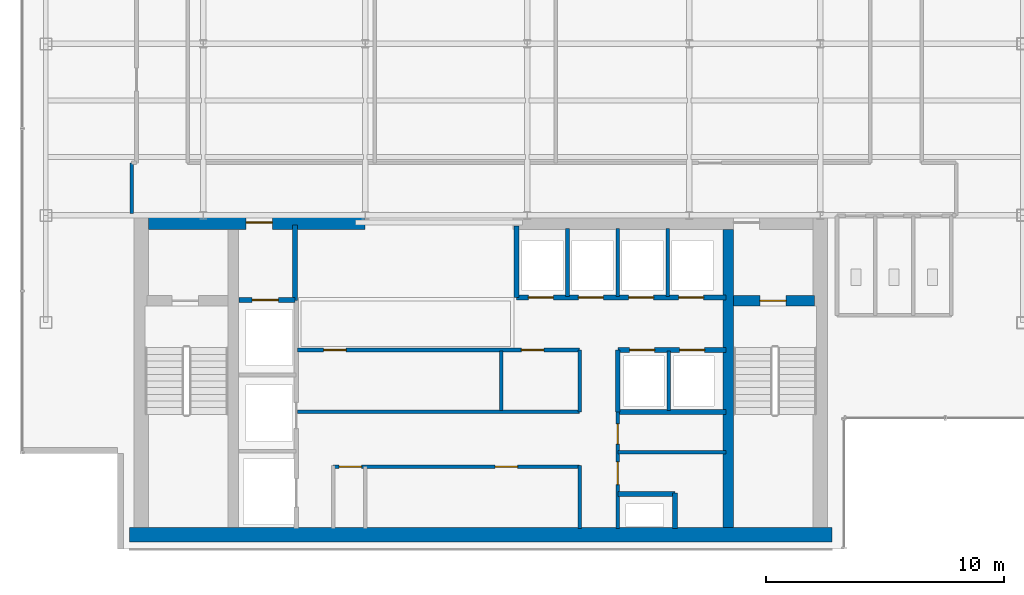
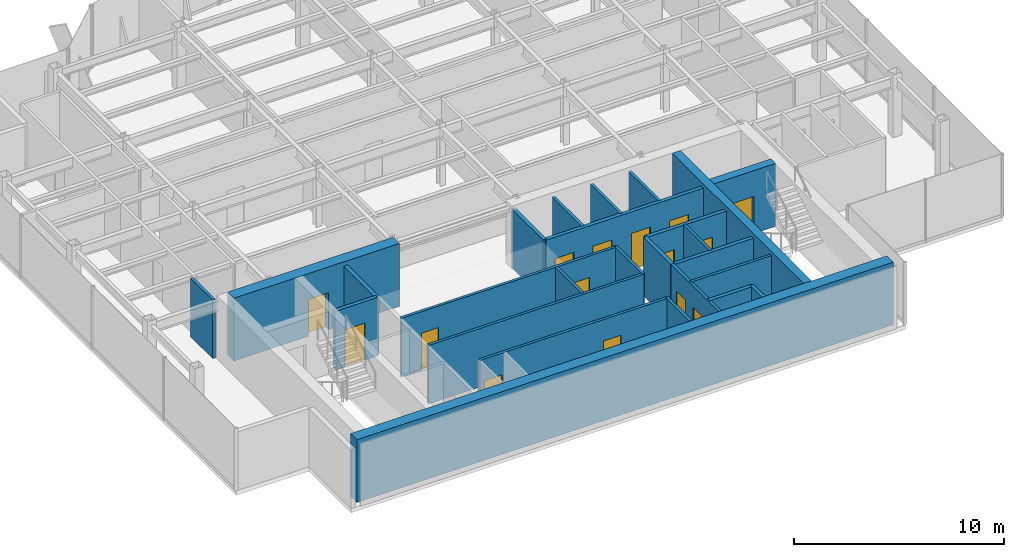
# One storey, part 17 of 22: 26 walls, 15 doors, 15 openings.
"""IFC4 building model written with IfcOpenShell, lengths in metres."""

from ifc_helpers import new_model, si_unit, derived_unit, direction, frame, frame_2d, origin, place, context, subcontext, project, spatial, rectangle, extrude, source, transform, mapped, material, layer, layer_set, type_object, element, fill, save


model = new_model("IFC4")

# Units and contexts
model_context = context("Model", 3, precision=1e-05, world=origin(), true_north=direction((0.0, 1.0)))
body_context = subcontext(model_context, "Body", "Model", "MODEL_VIEW")
ifc_project = project(units=[si_unit("LENGTHUNIT", "METRE"), si_unit("AREAUNIT", "SQUARE_METRE"), si_unit("VOLUMEUNIT", "CUBIC_METRE"), si_unit("PLANEANGLEUNIT", "RADIAN"), si_unit("MASSUNIT", "GRAM", prefix="KILO"), derived_unit("THERMALTRANSMITTANCEUNIT", [(si_unit("POWERUNIT", "WATT"), 1), (si_unit("LENGTHUNIT", "METRE"), -2), (si_unit("THERMODYNAMICTEMPERATUREUNIT", "KELVIN"), -1)])], contexts=[model_context])

# Site, building, storey
site_placement = place(None, origin())
site = spatial("IfcSite", under=ifc_project, at=site_placement, CompositionType="ELEMENT")
building_placement = place(site_placement, origin())
building = spatial("IfcBuilding", under=site, at=building_placement, Name="Skarnbrae Concourse Arena and Tower", CompositionType="ELEMENT")
storey_placement = place(building_placement, frame((0.0, 0.0, 273.39990234375)))
storey = spatial("IfcBuildingStorey", under=building, at=storey_placement, Name="L71", CompositionType="ELEMENT", Elevation=273.39990234375)

# Wall, opening, door
ifc_material_1 = material(Name="Concrete 50 MPa (C50/60)", Category="concrete")
ifc_layer_1 = layer(ifc_material_1, 0.449951171875)
ifc_layer_set_1 = layer_set([ifc_layer_1], Name="Concrete 50 MPa (C50/60)")
wall_type_1 = type_object("IfcWallType", Name="WALL-CORE-450-C50", PredefinedType="SHEAR", material=ifc_layer_set_1)
shared_shape_1 = source(origin(), body_context, "Body", "SweptSolid", [
    extrude(rectangle(XDim=3.389892578125, YDim=0.449951171875, at=frame_2d((1.69482421875, 0.0))), origin(), (0.0, 0.0, 1.0), 3.650146484375),
])
wall_1_placement = place(storey_placement, frame((29.860107421875, 10.419921875, 0.0), z_axis=(0.0, 0.0, 1.0), x_axis=(1.0, 0.0, 0.0)))
wall_1 = element("IfcWall", 1, at=wall_1_placement, inside=storey, type_object=wall_type_1, Name="L71 Rear core shear wall CW-ST2-N", PredefinedType="SHEAR", context=body_context, shape_type="MappedRepresentation", body=[
    mapped(shared_shape_1, transform((0.0, 0.0, 0.0))),
])
opening_1_placement = place(wall_1_placement, frame((1.10009765625, 0.0, 0.0)))
opening_1 = element("IfcOpeningElement", 2, at=opening_1_placement, cuts=wall_1, Name="Opening DT-03", PredefinedType="OPENING", context=body_context, shape_type="SweptSolid", body=[
    extrude(rectangle(XDim=1.10009765625, YDim=2.14990234375, at=frame_2d((0.550048828125, 1.074951171875))), frame((0.0, 0.23486328125, 0.0), z_axis=(0.0, -1.0, 0.0), x_axis=(1.0, 0.0, 0.0)), (0.0, 0.0, 1.0), 0.469970703125),
])
ifc_material_2 = material(Name="Steel CSA G40.21 350W", Category="steel")
door_type_1 = type_object("IfcDoorType", Name="DOOR-FIRE-1100-90M", OperationType="NOTDEFINED", PredefinedType="DOOR", material=ifc_material_2)
shared_shape_2 = source(origin(), body_context, "Body", "SweptSolid", [
    extrude(rectangle(XDim=1.10009765625, YDim=2.14990234375, at=frame_2d((0.550048828125, 1.074951171875))), frame((0.0, 0.02490234375, 0.0), z_axis=(0.0, -1.0, 0.0), x_axis=(1.0, 0.0, 0.0)), (0.0, 0.0, 1.0), 0.050048828125),
])
door_1_placement = place(opening_1_placement, frame((1.10009765625, 0.0, 0.0), z_axis=(0.0, 0.0, 1.0), x_axis=(-1.0, 0.0, 0.0)))
door_1 = element("IfcDoor", 3, at=door_1_placement, inside=storey, type_object=door_type_1, Name="D-2139 Stair ST-2 Door", OperationType="SINGLE_SWING_RIGHT", OverallHeight=2.14990234375, OverallWidth=1.10009765625, PredefinedType="DOOR", context=body_context, shape_type="MappedRepresentation", body=[
    mapped(shared_shape_2, transform((0.0, 0.0, 0.0))),
])
fill(opening_1, door_1)

# Wall
ifc_layer_2 = layer(ifc_material_1, 0.60009765625)
ifc_layer_set_2 = layer_set([ifc_layer_2], Name="Concrete 50 MPa (C50/60)")
wall_type_2 = type_object("IfcWallType", Name="WALL-CORE-600-C50", PredefinedType="SHEAR", material=ifc_layer_set_2)
shared_shape_3 = source(origin(), body_context, "Body", "SweptSolid", [
    extrude(rectangle(XDim=29.5, YDim=0.60009765625, at=frame_2d((14.75, 0.0))), origin(), (0.0, 0.0, 1.0), 3.650146484375),
])
wall_2_placement = place(storey_placement, frame((4.5, 0.60009765625, 0.0), z_axis=(0.0, 0.0, 1.0), x_axis=(1.0, 0.0, 0.0)))
element("IfcWall", 4, at=wall_2_placement, inside=storey, type_object=wall_type_2, Name="L71 Rear core shear wall CW-S", PredefinedType="SHEAR", context=body_context, shape_type="MappedRepresentation", body=[
    mapped(shared_shape_3, transform((0.0, 0.0, 0.0))),
])

# Wall, opening, door
shared_shape_4 = source(origin(), body_context, "Body", "SweptSolid", [
    extrude(rectangle(XDim=9.099853515625, YDim=0.60009765625, at=frame_2d((4.5498046875, 0.0))), origin(), (0.0, 0.0, 1.0), 3.650146484375),
])
wall_3_placement = place(storey_placement, frame((5.300048828125, 13.699951171875, 0.0), z_axis=(0.0, 0.0, 1.0), x_axis=(1.0, 0.0, 0.0)))
wall_3 = element("IfcWall", 5, at=wall_3_placement, inside=storey, type_object=wall_type_2, Name="L71 Rear core shear wall CW-NW", PredefinedType="SHEAR", context=body_context, shape_type="MappedRepresentation", body=[
    mapped(shared_shape_4, transform((0.0, 0.0, 0.0))),
])
opening_2_placement = place(wall_3_placement, frame((4.10009765625, 0.0, 0.0)))
opening_2 = element("IfcOpeningElement", 6, at=opening_2_placement, cuts=wall_3, Name="Opening DT-03", PredefinedType="OPENING", context=body_context, shape_type="SweptSolid", body=[
    extrude(rectangle(XDim=1.10009765625, YDim=2.14990234375, at=frame_2d((0.550048828125, 1.074951171875))), frame((0.0, 0.31005859375, 0.0), z_axis=(0.0, -1.0, 0.0), x_axis=(1.0, 0.0, 0.0)), (0.0, 0.0, 1.0), 0.6201171875),
])
door_2_placement = place(opening_2_placement, origin())
door_2 = element("IfcDoor", 7, at=door_2_placement, inside=storey, type_object=door_type_1, Name="D-2140 Firefighting Lobby Exit Door", OperationType="SINGLE_SWING_RIGHT", OverallHeight=2.14990234375, OverallWidth=1.10009765625, PredefinedType="DOOR", context=body_context, shape_type="MappedRepresentation", body=[
    mapped(shared_shape_2, transform((0.0, 0.0, 0.0))),
])
fill(opening_2, door_2)

# Walls
shared_shape_5 = source(origin(), body_context, "Body", "SweptSolid", [
    extrude(rectangle(XDim=12.5, YDim=0.449951171875, at=frame_2d((6.25, 0.0))), origin(), (0.0, 0.0, 1.0), 3.650146484375),
])
wall_4_placement = place(storey_placement, frame((29.635009765625, 0.89990234375, 0.0), z_axis=(0.0, 0.0, 1.0), x_axis=(0.0, 1.0, 0.0)))
element("IfcWall", 8, at=wall_4_placement, inside=storey, type_object=wall_type_1, Name="L71 Rear core shear wall CW-WEB-E", PredefinedType="SHEAR", context=body_context, shape_type="MappedRepresentation", body=[
    mapped(shared_shape_5, transform((0.0, 0.0, 0.0))),
])
ifc_material_3 = material(Name="Gypsum board on cold-formed steel studs", Category="steel")
ifc_layer_3 = layer(ifc_material_3, 0.199951171875)
ifc_layer_set_3 = layer_set([ifc_layer_3], Name="Gypsum board on cold-formed steel studs")
wall_type_3 = type_object("IfcWallType", Name="WALL-PART-200-2HR", PredefinedType="PARTITIONING", material=ifc_layer_set_3)
shared_shape_6 = source(origin(), body_context, "Body", "SweptSolid", [
    extrude(rectangle(XDim=3.18017578125, YDim=0.199951171875, at=frame_2d((1.590087890625, 0.0))), origin(), (0.0, 0.0, 1.0), 3.400146484375),
])
wall_5_placement = place(storey_placement, frame((11.449951171875, 10.419921875, 0.0), z_axis=(0.0, 0.0, 1.0), x_axis=(0.0, 1.0, 0.0)))
element("IfcWall", 9, at=wall_5_placement, inside=storey, type_object=wall_type_3, Name="L71 Interior partition wall W-L71-FFL-E", PredefinedType="PARTITIONING", context=body_context, shape_type="MappedRepresentation", body=[
    mapped(shared_shape_6, transform((0.0, 0.0, 0.0))),
])

# Wall, opening, door
shared_shape_7 = source(origin(), body_context, "Body", "SweptSolid", [
    extrude(rectangle(XDim=2.349853515625, YDim=0.199951171875, at=frame_2d((1.1748046875, 0.0))), origin(), (0.0, 0.0, 1.0), 3.400146484375),
])
wall_6_placement = place(storey_placement, frame((9.10009765625, 10.449951171875, 0.0), z_axis=(0.0, 0.0, 1.0), x_axis=(1.0, 0.0, 0.0)))
wall_6 = element("IfcWall", 10, at=wall_6_placement, inside=storey, type_object=wall_type_3, Name="L71 Interior partition wall W-L71-FL1-N", PredefinedType="PARTITIONING", context=body_context, shape_type="MappedRepresentation", body=[
    mapped(shared_shape_7, transform((0.0, 0.0, 0.0))),
])
opening_3_placement = place(wall_6_placement, frame((0.550048828125, 0.0, 0.0)))
opening_3 = element("IfcOpeningElement", 11, at=opening_3_placement, cuts=wall_6, Name="Opening LD-01", PredefinedType="OPENING", context=body_context, shape_type="SweptSolid", body=[
    extrude(rectangle(XDim=1.10009765625, YDim=2.14990234375, at=frame_2d((0.550048828125, 1.074951171875))), frame((0.0, 0.10986328125, 0.0), z_axis=(0.0, -1.0, 0.0), x_axis=(1.0, 0.0, 0.0)), (0.0, 0.0, 1.0), 0.219970703125),
])
door_type_2 = type_object("IfcDoorType", Name="DOOR-LIFT-SLIDE-1100", OperationType="SLIDING_TO_LEFT", PredefinedType="DOOR", material=ifc_material_2)
door_3_placement = place(opening_3_placement, origin())
door_3 = element("IfcDoor", 12, at=door_3_placement, inside=storey, type_object=door_type_2, Name="D-2142 Firefighting Lift Landing Door FL-01", OperationType="SLIDING_TO_LEFT", OverallHeight=2.14990234375, OverallWidth=1.10009765625, PredefinedType="DOOR", context=body_context, shape_type="MappedRepresentation", body=[
    mapped(shared_shape_2, transform((0.0, 0.0, 0.0))),
])
fill(opening_3, door_3)

# Walls
shared_shape_8 = source(origin(), body_context, "Body", "SweptSolid", [
    extrude(rectangle(XDim=2.60009765625, YDim=0.199951171875, at=frame_2d((1.300048828125, 0.0))), origin(), (0.0, 0.0, 1.0), 3.400146484375),
])
wall_7_placement = place(storey_placement, frame((25.0, 5.75, 0.0), z_axis=(0.0, 0.0, 1.0), x_axis=(0.0, 1.0, 0.0)))
element("IfcWall", 13, at=wall_7_placement, inside=storey, type_object=wall_type_3, Name="L71 Interior partition wall W-L71-B3S-W", PredefinedType="PARTITIONING", context=body_context, shape_type="MappedRepresentation", body=[
    mapped(shared_shape_8, transform((0.0, 0.0, 0.0))),
])
ifc_layer_4 = layer(ifc_material_3, 0.14990234375)
ifc_layer_set_4 = layer_set([ifc_layer_4], Name="Gypsum board on cold-formed steel studs")
wall_type_4 = type_object("IfcWallType", Name="WALL-PART-150", PredefinedType="PARTITIONING", material=ifc_layer_set_4)
shared_shape_9 = source(origin(), body_context, "Body", "SweptSolid", [
    extrude(rectangle(XDim=2.5, YDim=0.14990234375, at=frame_2d((1.25, 0.0))), origin(), (0.0, 0.0, 1.0), 3.400146484375),
])
for number, where, z_axis, x_axis, name in (
    (14, (20.10009765625, 5.800048828125, 0.0), (0.0, 0.0, 1.0), (0.0, 1.0, 0.0), "L71 Interior partition wall W-L71-B2M-MID"),
    (15, (27.139892578125, 5.800048828125, 0.0), (0.0, 0.0, 1.0), (0.0, 1.0, 0.0), "L71 Interior partition wall W-L71-B3S-P1"),
):
    element("IfcWall", number, at=place(storey_placement, frame(where, z_axis=z_axis, x_axis=x_axis)), inside=storey, type_object=wall_type_4, Name=name, PredefinedType="PARTITIONING", context=body_context, shape_type="MappedRepresentation", body=[
        mapped(shared_shape_9, transform((0.0, 0.0, 0.0))),
    ])

# Wall, openings, doors
shared_shape_10 = source(origin(), body_context, "Body", "SweptSolid", [
    extrude(rectangle(XDim=8.800048828125, YDim=0.199951171875, at=frame_2d((4.39990234375, 0.0))), origin(), (0.0, 0.0, 1.0), 3.400146484375),
])
wall_8_placement = place(storey_placement, frame((20.75, 10.550048828125, 0.0), z_axis=(0.0, 0.0, 1.0), x_axis=(1.0, 0.0, 0.0)))
wall_8 = element("IfcWall", 16, at=wall_8_placement, inside=storey, type_object=wall_type_3, Name="L71 Interior partition wall W-L71-B3N-S", PredefinedType="PARTITIONING", context=body_context, shape_type="MappedRepresentation", body=[
    mapped(shared_shape_10, transform((0.0, 0.0, 0.0))),
])
opening_4_placement = place(wall_8_placement, frame((0.5, 0.0, 0.0)))
opening_4 = element("IfcOpeningElement", 17, at=opening_4_placement, cuts=wall_8, Name="Opening LD-04", PredefinedType="OPENING", context=body_context, shape_type="SweptSolid", body=[
    extrude(rectangle(XDim=1.050048828125, YDim=2.14990234375, at=frame_2d((0.52490234375, 1.074951171875))), frame((0.0, 0.10986328125, 0.0), z_axis=(0.0, -1.0, 0.0), x_axis=(1.0, 0.0, 0.0)), (0.0, 0.0, 1.0), 0.219970703125),
])
opening_5_placement = place(wall_8_placement, frame((2.60009765625, 0.0, 0.0)))
opening_5 = element("IfcOpeningElement", 18, at=opening_5_placement, cuts=wall_8, Name="Opening LD-04", PredefinedType="OPENING", context=body_context, shape_type="SweptSolid", body=[
    extrude(rectangle(XDim=1.050048828125, YDim=2.14990234375, at=frame_2d((0.52490234375, 1.074951171875))), frame((0.0, 0.10986328125, 0.0), z_axis=(0.0, -1.0, 0.0), x_axis=(1.0, 0.0, 0.0)), (0.0, 0.0, 1.0), 0.219970703125),
])
opening_6_placement = place(wall_8_placement, frame((4.699951171875, 0.0, 0.0)))
opening_6 = element("IfcOpeningElement", 19, at=opening_6_placement, cuts=wall_8, Name="Opening LD-04", PredefinedType="OPENING", context=body_context, shape_type="SweptSolid", body=[
    extrude(rectangle(XDim=1.050048828125, YDim=2.14990234375, at=frame_2d((0.52490234375, 1.074951171875))), frame((0.0, 0.10986328125, 0.0), z_axis=(0.0, -1.0, 0.0), x_axis=(1.0, 0.0, 0.0)), (0.0, 0.0, 1.0), 0.219970703125),
])
opening_7_placement = place(wall_8_placement, frame((6.800048828125, 0.0, 0.0)))
opening_7 = element("IfcOpeningElement", 20, at=opening_7_placement, cuts=wall_8, Name="Opening LD-04", PredefinedType="OPENING", context=body_context, shape_type="SweptSolid", body=[
    extrude(rectangle(XDim=1.050048828125, YDim=2.14990234375, at=frame_2d((0.52490234375, 1.074951171875))), frame((0.0, 0.10986328125, 0.0), z_axis=(0.0, -1.0, 0.0), x_axis=(1.0, 0.0, 0.0)), (0.0, 0.0, 1.0), 0.219970703125),
])
ifc_material_4 = material(Name="Bronze anodised aluminium 6063-T6", Category="aluminium")
door_type_3 = type_object("IfcDoorType", Name="DOOR-LIFT-SLIDE-1050H", OperationType="SLIDING_TO_LEFT", PredefinedType="DOOR", material=ifc_material_4)
shared_shape_11 = source(origin(), body_context, "Body", "SweptSolid", [
    extrude(rectangle(XDim=1.050048828125, YDim=2.14990234375, at=frame_2d((0.52490234375, 1.074951171875))), frame((0.0, 0.02490234375, 0.0), z_axis=(0.0, -1.0, 0.0), x_axis=(1.0, 0.0, 0.0)), (0.0, 0.0, 1.0), 0.050048828125),
])
door_4_placement = place(opening_4_placement, frame((1.050048828125, 0.0, 0.0), z_axis=(0.0, 0.0, 1.0), x_axis=(-1.0, 0.0, 0.0)))
door_4 = element("IfcDoor", 21, at=door_4_placement, inside=storey, type_object=door_type_3, Name="D-2149 Passenger Lift Landing Door PL-3A", OperationType="SLIDING_TO_LEFT", OverallHeight=2.14990234375, OverallWidth=1.050048828125, PredefinedType="DOOR", context=body_context, shape_type="MappedRepresentation", body=[
    mapped(shared_shape_11, transform((0.0, 0.0, 0.0))),
])
fill(opening_4, door_4)
door_5_placement = place(opening_5_placement, frame((1.050048828125, 0.0, 0.0), z_axis=(0.0, 0.0, 1.0), x_axis=(-1.0, 0.0, 0.0)))
door_5 = element("IfcDoor", 22, at=door_5_placement, inside=storey, type_object=door_type_3, Name="D-2150 Passenger Lift Landing Door PL-3B", OperationType="SLIDING_TO_LEFT", OverallHeight=2.14990234375, OverallWidth=1.050048828125, PredefinedType="DOOR", context=body_context, shape_type="MappedRepresentation", body=[
    mapped(shared_shape_11, transform((0.0, 0.0, 0.0))),
])
fill(opening_5, door_5)
door_6_placement = place(opening_6_placement, frame((1.050048828125, 0.0, 0.0), z_axis=(0.0, 0.0, 1.0), x_axis=(-1.0, 0.0, 0.0)))
door_6 = element("IfcDoor", 23, at=door_6_placement, inside=storey, type_object=door_type_3, Name="D-2151 Passenger Lift Landing Door PL-3C", OperationType="SLIDING_TO_LEFT", OverallHeight=2.14990234375, OverallWidth=1.050048828125, PredefinedType="DOOR", context=body_context, shape_type="MappedRepresentation", body=[
    mapped(shared_shape_11, transform((0.0, 0.0, 0.0))),
])
fill(opening_6, door_6)
door_7_placement = place(opening_7_placement, frame((1.050048828125, 0.0, 0.0), z_axis=(0.0, 0.0, 1.0), x_axis=(-1.0, 0.0, 0.0)))
door_7 = element("IfcDoor", 24, at=door_7_placement, inside=storey, type_object=door_type_3, Name="D-2152 Passenger Lift Landing Door PL-3D", OperationType="SLIDING_TO_LEFT", OverallHeight=2.14990234375, OverallWidth=1.050048828125, PredefinedType="DOOR", context=body_context, shape_type="MappedRepresentation", body=[
    mapped(shared_shape_11, transform((0.0, 0.0, 0.0))),
])
fill(opening_7, door_7)

# Walls
shared_shape_12 = source(origin(), body_context, "Body", "SweptSolid", [
    extrude(rectangle(XDim=3.0, YDim=0.199951171875, at=frame_2d((1.5, 0.0))), origin(), (0.0, 0.0, 1.0), 3.400146484375),
])
wall_9_placement = place(storey_placement, frame((20.75, 10.550048828125, 0.0), z_axis=(0.0, 0.0, 1.0), x_axis=(0.0, 1.0, 0.0)))
element("IfcWall", 25, at=wall_9_placement, inside=storey, type_object=wall_type_3, Name="L71 Interior partition wall W-L71-B3N-W", PredefinedType="PARTITIONING", context=body_context, shape_type="MappedRepresentation", body=[
    mapped(shared_shape_12, transform((0.0, 0.0, 0.0))),
])
shared_shape_13 = source(origin(), body_context, "Body", "SweptSolid", [
    extrude(rectangle(XDim=2.849853515625, YDim=0.14990234375, at=frame_2d((1.4248046875, 0.0))), origin(), (0.0, 0.0, 1.0), 3.400146484375),
])
for number, where, z_axis, x_axis, name in (
    (26, (22.889892578125, 10.60009765625, 0.0), (0.0, 0.0, 1.0), (0.0, 1.0, 0.0), "L71 Interior partition wall W-L71-B3N-P1"),
    (27, (24.989990234375, 10.60009765625, 0.0), (0.0, 0.0, 1.0), (0.0, 1.0, 0.0), "L71 Interior partition wall W-L71-B3N-P2"),
    (28, (27.090087890625, 10.60009765625, 0.0), (0.0, 0.0, 1.0), (0.0, 1.0, 0.0), "L71 Interior partition wall W-L71-B3N-P3"),
):
    element("IfcWall", number, at=place(storey_placement, frame(where, z_axis=z_axis, x_axis=x_axis)), inside=storey, type_object=wall_type_4, Name=name, PredefinedType="PARTITIONING", context=body_context, shape_type="MappedRepresentation", body=[
        mapped(shared_shape_13, transform((0.0, 0.0, 0.0))),
    ])

# Wall, openings, doors
shared_shape_14 = source(origin(), body_context, "Body", "SweptSolid", [
    extrude(rectangle(XDim=4.550048828125, YDim=0.199951171875, at=frame_2d((2.27490234375, 0.0))), origin(), (0.0, 0.0, 1.0), 3.400146484375),
])
wall_10_placement = place(storey_placement, frame((25.0, 8.35009765625, 0.0), z_axis=(0.0, 0.0, 1.0), x_axis=(1.0, 0.0, 0.0)))
wall_10 = element("IfcWall", 29, at=wall_10_placement, inside=storey, type_object=wall_type_3, Name="L71 Interior partition wall W-L71-B3S-N", PredefinedType="PARTITIONING", context=body_context, shape_type="MappedRepresentation", body=[
    mapped(shared_shape_14, transform((0.0, 0.0, 0.0))),
])
opening_8_placement = place(wall_10_placement, frame((0.5, 0.0, 0.0)))
opening_8 = element("IfcOpeningElement", 30, at=opening_8_placement, cuts=wall_10, Name="Opening LD-04", PredefinedType="OPENING", context=body_context, shape_type="SweptSolid", body=[
    extrude(rectangle(XDim=1.050048828125, YDim=2.14990234375, at=frame_2d((0.52490234375, 1.074951171875))), frame((0.0, 0.10986328125, 0.0), z_axis=(0.0, -1.0, 0.0), x_axis=(1.0, 0.0, 0.0)), (0.0, 0.0, 1.0), 0.219970703125),
])
opening_9_placement = place(wall_10_placement, frame((2.60009765625, 0.0, 0.0)))
opening_9 = element("IfcOpeningElement", 31, at=opening_9_placement, cuts=wall_10, Name="Opening LD-04", PredefinedType="OPENING", context=body_context, shape_type="SweptSolid", body=[
    extrude(rectangle(XDim=1.050048828125, YDim=2.14990234375, at=frame_2d((0.52490234375, 1.074951171875))), frame((0.0, 0.10986328125, 0.0), z_axis=(0.0, -1.0, 0.0), x_axis=(1.0, 0.0, 0.0)), (0.0, 0.0, 1.0), 0.219970703125),
])
door_8_placement = place(opening_8_placement, origin())
door_8 = element("IfcDoor", 32, at=door_8_placement, inside=storey, type_object=door_type_3, Name="D-2153 Passenger Lift Landing Door PL-3E", OperationType="SLIDING_TO_LEFT", OverallHeight=2.14990234375, OverallWidth=1.050048828125, PredefinedType="DOOR", context=body_context, shape_type="MappedRepresentation", body=[
    mapped(shared_shape_11, transform((0.0, 0.0, 0.0))),
])
fill(opening_8, door_8)
door_9_placement = place(opening_9_placement, origin())
door_9 = element("IfcDoor", 33, at=door_9_placement, inside=storey, type_object=door_type_3, Name="D-2154 Passenger Lift Landing Door PL-3F", OperationType="SLIDING_TO_LEFT", OverallHeight=2.14990234375, OverallWidth=1.050048828125, PredefinedType="DOOR", context=body_context, shape_type="MappedRepresentation", body=[
    mapped(shared_shape_11, transform((0.0, 0.0, 0.0))),
])
fill(opening_9, door_9)

# Wall
wall_11_placement = place(storey_placement, frame((25.0, 5.75, 0.0), z_axis=(0.0, 0.0, 1.0), x_axis=(1.0, 0.0, 0.0)))
element("IfcWall", 34, at=wall_11_placement, inside=storey, type_object=wall_type_3, Name="L71 Interior partition wall W-L71-B3S-S", PredefinedType="PARTITIONING", context=body_context, shape_type="MappedRepresentation", body=[
    mapped(shared_shape_14, transform((0.0, 0.0, 0.0))),
])

# Wall, openings, doors
ifc_layer_5 = layer(ifc_material_3, 0.14990234375)
ifc_layer_set_5 = layer_set([ifc_layer_5], Name="Gypsum board on cold-formed steel studs")
wall_type_5 = type_object("IfcWallType", Name="WALL-PART-150-1HR", PredefinedType="PARTITIONING", material=ifc_layer_set_5)
shared_shape_15 = source(origin(), body_context, "Body", "SweptSolid", [
    extrude(rectangle(XDim=4.89990234375, YDim=0.14990234375, at=frame_2d((2.449951171875, 0.0))), origin(), (0.0, 0.0, 1.0), 3.400146484375),
])
wall_12_placement = place(storey_placement, frame((25.0, 0.85009765625, 0.0), z_axis=(0.0, 0.0, 1.0), x_axis=(0.0, 1.0, 0.0)))
wall_12 = element("IfcWall", 35, at=wall_12_placement, inside=storey, type_object=wall_type_5, Name="L71 Interior partition wall W-L71-CSV-W", PredefinedType="PARTITIONING", context=body_context, shape_type="MappedRepresentation", body=[
    mapped(shared_shape_15, transform((0.0, 0.0, 0.0))),
])
opening_10_placement = place(wall_12_placement, frame((1.85009765625, 0.0, 0.0)))
opening_10 = element("IfcOpeningElement", 36, at=opening_10_placement, cuts=wall_12, Name="Opening DT-04", PredefinedType="OPENING", context=body_context, shape_type="SweptSolid", body=[
    extrude(rectangle(XDim=0.949951171875, YDim=2.14990234375, at=frame_2d((0.47509765625, 1.074951171875))), frame((0.0, 0.0849609375, 0.0), z_axis=(0.0, -1.0, 0.0), x_axis=(1.0, 0.0, 0.0)), (0.0, 0.0, 1.0), 0.169921875),
])
opening_11_placement = place(wall_12_placement, frame((3.550048828125, 0.0, 0.0)))
opening_11 = element("IfcOpeningElement", 37, at=opening_11_placement, cuts=wall_12, Name="Opening DT-08", PredefinedType="OPENING", context=body_context, shape_type="SweptSolid", body=[
    extrude(rectangle(XDim=0.85009765625, YDim=2.14990234375, at=frame_2d((0.425048828125, 1.074951171875))), frame((0.0, 0.0849609375, 0.0), z_axis=(0.0, -1.0, 0.0), x_axis=(1.0, 0.0, 0.0)), (0.0, 0.0, 1.0), 0.169921875),
])
door_type_4 = type_object("IfcDoorType", Name="DOOR-INT-950-45M", OperationType="NOTDEFINED", PredefinedType="DOOR", material=ifc_material_2)
shared_shape_16 = source(origin(), body_context, "Body", "SweptSolid", [
    extrude(rectangle(XDim=0.949951171875, YDim=2.14990234375, at=frame_2d((0.47509765625, 1.074951171875))), frame((0.0, 0.02490234375, 0.0), z_axis=(0.0, -1.0, 0.0), x_axis=(1.0, 0.0, 0.0)), (0.0, 0.0, 1.0), 0.050048828125),
])
door_10_placement = place(opening_10_placement, origin())
door_10 = element("IfcDoor", 38, at=door_10_placement, inside=storey, type_object=door_type_4, Name="D-2155 Core Staff WC Door", OperationType="SINGLE_SWING_RIGHT", OverallHeight=2.14990234375, OverallWidth=0.949951171875, PredefinedType="DOOR", context=body_context, shape_type="MappedRepresentation", body=[
    mapped(shared_shape_16, transform((0.0, 0.0, 0.0))),
])
fill(opening_10, door_10)
door_type_5 = type_object("IfcDoorType", Name="DOOR-INT-850-45M", OperationType="NOTDEFINED", PredefinedType="DOOR", material=ifc_material_2)
shared_shape_17 = source(origin(), body_context, "Body", "SweptSolid", [
    extrude(rectangle(XDim=0.85009765625, YDim=2.14990234375, at=frame_2d((0.425048828125, 1.074951171875))), frame((0.0, 0.02490234375, 0.0), z_axis=(0.0, -1.0, 0.0), x_axis=(1.0, 0.0, 0.0)), (0.0, 0.0, 1.0), 0.050048828125),
])
door_11_placement = place(opening_11_placement, origin())
door_11 = element("IfcDoor", 39, at=door_11_placement, inside=storey, type_object=door_type_5, Name="D-2156 IT Patch Room Door", OperationType="SINGLE_SWING_LEFT", OverallHeight=2.14990234375, OverallWidth=0.85009765625, PredefinedType="DOOR", context=body_context, shape_type="MappedRepresentation", body=[
    mapped(shared_shape_17, transform((0.0, 0.0, 0.0))),
])
fill(opening_11, door_11)

# Walls
shared_shape_18 = source(origin(), body_context, "Body", "SweptSolid", [
    extrude(rectangle(XDim=2.39990234375, YDim=0.199951171875, at=frame_2d((1.199951171875, 0.0))), origin(), (0.0, 0.0, 1.0), 3.400146484375),
])
wall_13_placement = place(storey_placement, frame((25.0, 2.300048828125, 0.0), z_axis=(0.0, 0.0, 1.0), x_axis=(1.0, 0.0, 0.0)))
element("IfcWall", 40, at=wall_13_placement, inside=storey, type_object=wall_type_3, Name="L71 Interior partition wall W-L71-MEP-N", PredefinedType="PARTITIONING", context=body_context, shape_type="MappedRepresentation", body=[
    mapped(shared_shape_18, transform((0.0, 0.0, 0.0))),
])
shared_shape_19 = source(origin(), body_context, "Body", "SweptSolid", [
    extrude(rectangle(XDim=1.5, YDim=0.199951171875, at=frame_2d((0.75, 0.0))), origin(), (0.0, 0.0, 1.0), 3.400146484375),
])
wall_14_placement = place(storey_placement, frame((27.39990234375, 0.85009765625, 0.0), z_axis=(0.0, 0.0, 1.0), x_axis=(0.0, 1.0, 0.0)))
element("IfcWall", 41, at=wall_14_placement, inside=storey, type_object=wall_type_3, Name="L71 Interior partition wall W-L71-MEP-E", PredefinedType="PARTITIONING", context=body_context, shape_type="MappedRepresentation", body=[
    mapped(shared_shape_19, transform((0.0, 0.0, 0.0))),
])
shared_shape_20 = source(origin(), body_context, "Body", "SweptSolid", [
    extrude(rectangle(XDim=4.550048828125, YDim=0.14990234375, at=frame_2d((2.27490234375, 0.0))), origin(), (0.0, 0.0, 1.0), 3.400146484375),
])
wall_15_placement = place(storey_placement, frame((25.0, 4.050048828125, 0.0), z_axis=(0.0, 0.0, 1.0), x_axis=(1.0, 0.0, 0.0)))
element("IfcWall", 42, at=wall_15_placement, inside=storey, type_object=wall_type_4, Name="L71 Interior partition wall W-L71-CSV-H2", PredefinedType="PARTITIONING", context=body_context, shape_type="MappedRepresentation", body=[
    mapped(shared_shape_20, transform((0.0, 0.0, 0.0))),
])
shared_shape_21 = source(origin(), body_context, "Body", "SweptSolid", [
    extrude(rectangle(XDim=2.64990234375, YDim=0.14990234375, at=frame_2d((1.324951171875, 0.0))), origin(), (0.0, 0.0, 1.0), 3.400146484375),
])
wall_16_placement = place(storey_placement, frame((23.39990234375, 0.85009765625, 0.0), z_axis=(0.0, 0.0, 1.0), x_axis=(0.0, 1.0, 0.0)))
element("IfcWall", 43, at=wall_16_placement, inside=storey, type_object=wall_type_5, Name="L71 Interior partition wall W-L71-B1M-E", PredefinedType="PARTITIONING", context=body_context, shape_type="MappedRepresentation", body=[
    mapped(shared_shape_21, transform((0.0, 0.0, 0.0))),
])

# Wall, openings, doors
shared_shape_22 = source(origin(), body_context, "Body", "SweptSolid", [
    extrude(rectangle(XDim=10.349853515625, YDim=0.14990234375, at=frame_2d((5.1748046875, 0.0))), origin(), (0.0, 0.0, 1.0), 3.400146484375),
])
wall_17_placement = place(storey_placement, frame((13.050048828125, 3.449951171875, 0.0), z_axis=(0.0, 0.0, 1.0), x_axis=(1.0, 0.0, 0.0)))
wall_17 = element("IfcWall", 44, at=wall_17_placement, inside=storey, type_object=wall_type_5, Name="L71 Interior partition wall W-L71-B1M-N", PredefinedType="PARTITIONING", context=body_context, shape_type="MappedRepresentation", body=[
    mapped(shared_shape_22, transform((0.0, 0.0, 0.0))),
])
opening_12_placement = place(wall_17_placement, frame((0.25, 0.0, 0.0)))
opening_12 = element("IfcOpeningElement", 45, at=opening_12_placement, cuts=wall_17, Name="Opening DT-04", PredefinedType="OPENING", context=body_context, shape_type="SweptSolid", body=[
    extrude(rectangle(XDim=0.949951171875, YDim=2.14990234375, at=frame_2d((0.47509765625, 1.074951171875))), frame((0.0, 0.0849609375, 0.0), z_axis=(0.0, -1.0, 0.0), x_axis=(1.0, 0.0, 0.0)), (0.0, 0.0, 1.0), 0.169921875),
])
opening_13_placement = place(wall_17_placement, frame((6.800048828125, 0.0, 0.0)))
opening_13 = element("IfcOpeningElement", 46, at=opening_13_placement, cuts=wall_17, Name="Opening DT-04", PredefinedType="OPENING", context=body_context, shape_type="SweptSolid", body=[
    extrude(rectangle(XDim=0.949951171875, YDim=2.14990234375, at=frame_2d((0.47509765625, 1.074951171875))), frame((0.0, 0.0849609375, 0.0), z_axis=(0.0, -1.0, 0.0), x_axis=(1.0, 0.0, 0.0)), (0.0, 0.0, 1.0), 0.169921875),
])
door_12_placement = place(opening_12_placement, origin())
door_12 = element("IfcDoor", 47, at=door_12_placement, inside=storey, type_object=door_type_4, Name="D-2145 First Aid Room Door", OperationType="SINGLE_SWING_LEFT", OverallHeight=2.14990234375, OverallWidth=0.949951171875, PredefinedType="DOOR", context=body_context, shape_type="MappedRepresentation", body=[
    mapped(shared_shape_16, transform((0.0, 0.0, 0.0))),
])
fill(opening_12, door_12)
door_13_placement = place(opening_13_placement, origin())
door_13 = element("IfcDoor", 48, at=door_13_placement, inside=storey, type_object=door_type_4, Name="D-2146 Archive Room Door", OperationType="SINGLE_SWING_RIGHT", OverallHeight=2.14990234375, OverallWidth=0.949951171875, PredefinedType="DOOR", context=body_context, shape_type="MappedRepresentation", body=[
    mapped(shared_shape_16, transform((0.0, 0.0, 0.0))),
])
fill(opening_13, door_13)

# Wall
shared_shape_23 = source(origin(), body_context, "Body", "SweptSolid", [
    extrude(rectangle(XDim=11.849853515625, YDim=0.14990234375, at=frame_2d((5.9248046875, 0.0))), origin(), (0.0, 0.0, 1.0), 3.400146484375),
])
wall_18_placement = place(storey_placement, frame((11.550048828125, 5.75, 0.0), z_axis=(0.0, 0.0, 1.0), x_axis=(1.0, 0.0, 0.0)))
element("IfcWall", 49, at=wall_18_placement, inside=storey, type_object=wall_type_5, Name="L71 Interior partition wall W-L71-B2M-S", PredefinedType="PARTITIONING", context=body_context, shape_type="MappedRepresentation", body=[
    mapped(shared_shape_23, transform((0.0, 0.0, 0.0))),
])

# Wall, openings, doors
wall_19_placement = place(storey_placement, frame((11.550048828125, 8.35009765625, 0.0), z_axis=(0.0, 0.0, 1.0), x_axis=(1.0, 0.0, 0.0)))
wall_19 = element("IfcWall", 50, at=wall_19_placement, inside=storey, type_object=wall_type_5, Name="L71 Interior partition wall W-L71-B2M-N", PredefinedType="PARTITIONING", context=body_context, shape_type="MappedRepresentation", body=[
    mapped(shared_shape_23, transform((0.0, 0.0, 0.0))),
])
opening_14_placement = place(wall_19_placement, frame((1.10009765625, 0.0, 0.0)))
opening_14 = element("IfcOpeningElement", 51, at=opening_14_placement, cuts=wall_19, Name="Opening DT-04", PredefinedType="OPENING", context=body_context, shape_type="SweptSolid", body=[
    extrude(rectangle(XDim=0.949951171875, YDim=2.14990234375, at=frame_2d((0.47509765625, 1.074951171875))), frame((0.0, 0.0849609375, 0.0), z_axis=(0.0, -1.0, 0.0), x_axis=(1.0, 0.0, 0.0)), (0.0, 0.0, 1.0), 0.169921875),
])
opening_15_placement = place(wall_19_placement, frame((9.39990234375, 0.0, 0.0)))
opening_15 = element("IfcOpeningElement", 52, at=opening_15_placement, cuts=wall_19, Name="Opening DT-04", PredefinedType="OPENING", context=body_context, shape_type="SweptSolid", body=[
    extrude(rectangle(XDim=0.949951171875, YDim=2.14990234375, at=frame_2d((0.47509765625, 1.074951171875))), frame((0.0, 0.0849609375, 0.0), z_axis=(0.0, -1.0, 0.0), x_axis=(1.0, 0.0, 0.0)), (0.0, 0.0, 1.0), 0.169921875),
])
door_14_placement = place(opening_14_placement, origin())
door_14 = element("IfcDoor", 53, at=door_14_placement, inside=storey, type_object=door_type_4, Name="D-2147 High-Zone Data Door", OperationType="SINGLE_SWING_RIGHT", OverallHeight=2.14990234375, OverallWidth=0.949951171875, PredefinedType="DOOR", context=body_context, shape_type="MappedRepresentation", body=[
    mapped(shared_shape_16, transform((0.0, 0.0, 0.0))),
])
fill(opening_14, door_14)
door_15_placement = place(opening_15_placement, origin())
door_15 = element("IfcDoor", 54, at=door_15_placement, inside=storey, type_object=door_type_4, Name="D-2148 Reprographics Door", OperationType="SINGLE_SWING_LEFT", OverallHeight=2.14990234375, OverallWidth=0.949951171875, PredefinedType="DOOR", context=body_context, shape_type="MappedRepresentation", body=[
    mapped(shared_shape_16, transform((0.0, 0.0, 0.0))),
])
fill(opening_15, door_15)

# Walls
shared_shape_24 = source(origin(), body_context, "Body", "SweptSolid", [
    extrude(rectangle(XDim=2.60009765625, YDim=0.14990234375, at=frame_2d((1.300048828125, 0.0))), origin(), (0.0, 0.0, 1.0), 3.400146484375),
])
wall_20_placement = place(storey_placement, frame((23.39990234375, 5.75, 0.0), z_axis=(0.0, 0.0, 1.0), x_axis=(0.0, 1.0, 0.0)))
element("IfcWall", 55, at=wall_20_placement, inside=storey, type_object=wall_type_5, Name="L71 Interior partition wall W-L71-B2M-E", PredefinedType="PARTITIONING", context=body_context, shape_type="MappedRepresentation", body=[
    mapped(shared_shape_24, transform((0.0, 0.0, 0.0))),
])
shared_shape_25 = source(origin(), body_context, "Body", "SweptSolid", [
    extrude(rectangle(XDim=2.119873046875, YDim=0.14990234375, at=frame_2d((1.06005859375, 0.0))), origin(), (0.0, 0.0, 1.0), 3.400146484375),
])
wall_21_placement = place(storey_placement, frame((4.60009765625, 14.080078125, 0.0), z_axis=(0.0, 0.0, 1.0), x_axis=(0.0, 1.0, 0.0)))
element("IfcWall", 56, at=wall_21_placement, inside=storey, type_object=wall_type_5, Name="L71 Interior partition wall W-L71-COR-01", PredefinedType="PARTITIONING", context=body_context, shape_type="MappedRepresentation", body=[
    mapped(shared_shape_25, transform((0.0, 0.0, 0.0))),
])

save(model, "model.ifc")
